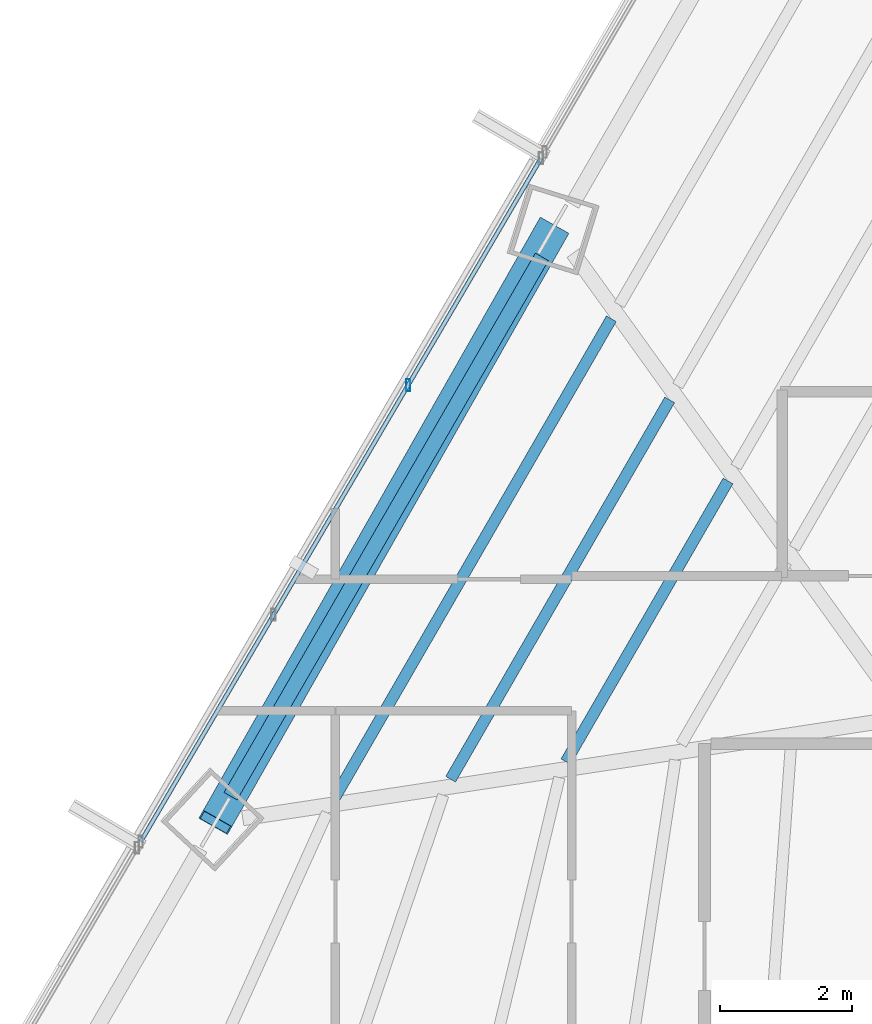
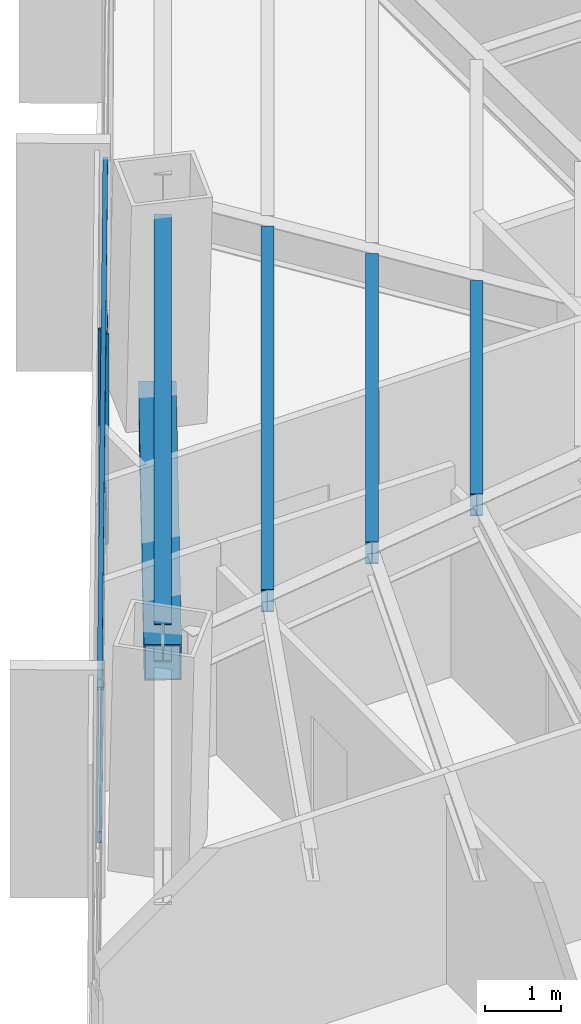
# One storey, part 14 of 35: 4 beams, 4 members, 1 element without a shape of its own.
"""IFC4 building model written with IfcOpenShell, lengths in metres."""

from ifc_helpers import new_model, si_unit, direction, frame, origin, origin_2d, place, context, subcontext, project, spatial, hollow_rectangle, i_section, extrude, source, transform, mapped, material, material_profile, profile_set, type_object, type_shapes, element, aggregate, save


model = new_model("IFC4")

# Units and contexts
model_context = context("Model", 3, precision=1e-05, world=origin(), true_north=direction((0.0, 1.0)))
body_context = subcontext(model_context, "Body", "Model", "MODEL_VIEW")
ifc_project = project(units=[si_unit("LENGTHUNIT", "METRE"), si_unit("AREAUNIT", "SQUARE_METRE"), si_unit("VOLUMEUNIT", "CUBIC_METRE"), si_unit("PLANEANGLEUNIT", "RADIAN"), si_unit("MASSUNIT", "GRAM", prefix="KILO")], contexts=[model_context])

# Site, building, storey
site_placement = place(None, origin())
site = spatial("IfcSite", under=ifc_project, at=site_placement, CompositionType="ELEMENT")
building_placement = place(site_placement, origin())
building = spatial("IfcBuilding", under=site, at=building_placement, Name="Caelisora Broadcast Tower", CompositionType="ELEMENT")
storey_placement = place(building_placement, frame((0.0, 0.0, 94.449951171875)))
storey = spatial("IfcBuildingStorey", under=building, at=storey_placement, Name="L24", CompositionType="ELEMENT", Elevation=94.449951171875)

# Beams
ifc_material_1 = material(Name="Steel Grade 350 (AS/NZS 3679.1)", Category="steel")
ifc_material_profile_1 = material_profile(ifc_material_1, i_section(OverallWidth=0.22900390625, OverallDepth=0.611572265625, WebThickness=0.011962890625, FlangeThickness=0.01953125, at=origin_2d()), Name="Steel Grade 350 (AS/NZS 3679.1)")
ifc_profile_set_1 = profile_set([ifc_material_profile_1], Name="Steel Grade 350 (AS/NZS 3679.1)")
beam_type_1 = type_object("IfcBeamType", Name="PG03", PredefinedType="BEAM", material=ifc_profile_set_1)
shared_shape_1 = source(origin(), body_context, "Body", "SweptSolid", [
    extrude(i_section(OverallWidth=0.22900390625, OverallDepth=0.611572265625, WebThickness=0.011962890625, FlangeThickness=0.01953125, at=origin_2d()), origin(), (0.0, 0.0, 1.0), 9.4677734375),
])
type_shapes(beam_type_1, [shared_shape_1])
beam_1_placement = place(storey_placement, frame((24.948486328125, 37.00146484375, 3.09423828125), z_axis=(-0.499994028088, -0.866028851642, 0.0), x_axis=(0.866028851642, -0.499994028088, 0.0)))
element("IfcBeam", 1, at=beam_1_placement, inside=storey, type_object=beam_type_1, Name="L24 beam PG03", PredefinedType="BEAM", context=body_context, shape_type="MappedRepresentation", body=[
    mapped(shared_shape_1, transform((0.0, 0.0, 0.0), scale=1.0)),
])
ifc_material_profile_2 = material_profile(ifc_material_1, i_section(OverallWidth=0.172119140625, OverallDepth=0.358642578125, WebThickness=0.008056640625, FlangeThickness=0.012939453125, at=origin_2d()), Name="Steel Grade 350 (AS/NZS 3679.1)")
ifc_profile_set_2 = profile_set([ifc_material_profile_2], Name="Steel Grade 350 (AS/NZS 3679.1)")
beam_type_2 = type_object("IfcBeamType", Name="SB02", PredefinedType="JOIST", material=ifc_profile_set_2)
shared_shape_2 = source(origin(), body_context, "Body", "SweptSolid", [
    extrude(i_section(OverallWidth=0.172119140625, OverallDepth=0.358642578125, WebThickness=0.008056640625, FlangeThickness=0.012939453125, at=origin_2d()), origin(), (0.0, 0.0, 1.0), 4.928955078125),
])
beam_2_placement = place(storey_placement, frame((27.7783203125, 33.59423828125, 3.220703125), z_axis=(-0.500022582332, -0.866012365477, 0.0), x_axis=(0.866012365477, -0.500022582332, 0.0)))
element("IfcBeam", 2, at=beam_2_placement, inside=storey, type_object=beam_type_2, Name="L24 beam SB02", PredefinedType="JOIST", context=body_context, shape_type="MappedRepresentation", body=[
    mapped(shared_shape_2, transform((0.0, 0.0, 0.0), scale=1.0)),
])
shared_shape_3 = source(origin(), body_context, "Body", "SweptSolid", [
    extrude(i_section(OverallWidth=0.172119140625, OverallDepth=0.358642578125, WebThickness=0.008056640625, FlangeThickness=0.012939453125, at=origin_2d()), origin(), (0.0, 0.0, 1.0), 6.66015625),
])
beam_3_placement = place(storey_placement, frame((26.891357421875, 34.827392578125, 3.220703125), z_axis=(-0.500002746266, -0.866023818221, 0.0), x_axis=(0.866023818221, -0.500002746266, 0.0)))
element("IfcBeam", 3, at=beam_3_placement, inside=storey, type_object=beam_type_2, Name="L24 beam SB02", PredefinedType="JOIST", context=body_context, shape_type="MappedRepresentation", body=[
    mapped(shared_shape_3, transform((0.0, 0.0, 0.0), scale=1.0)),
])
shared_shape_4 = source(origin(), body_context, "Body", "SweptSolid", [
    extrude(i_section(OverallWidth=0.172119140625, OverallDepth=0.358642578125, WebThickness=0.008056640625, FlangeThickness=0.012939453125, at=origin_2d()), origin(), (0.0, 0.0, 1.0), 8.3916015625),
])
type_shapes(beam_type_2, [shared_shape_2, shared_shape_3, shared_shape_4])
beam_4_placement = place(storey_placement, frame((26.00439453125, 36.060791015625, 3.220703125), z_axis=(-0.500000317199, -0.866025220649, 0.0), x_axis=(0.866025220649, -0.500000317199, 0.0)))
element("IfcBeam", 4, at=beam_4_placement, inside=storey, type_object=beam_type_2, Name="L24 beam SB02", PredefinedType="JOIST", context=body_context, shape_type="MappedRepresentation", body=[
    mapped(shared_shape_4, transform((0.0, 0.0, 0.0), scale=1.0)),
])

# Member
ifc_material_2 = material(Name="Steel Grade 450 L15 (AS/NZS 3678)", Category="steel")
ifc_material_profile_3 = material_profile(ifc_material_2, hollow_rectangle(XDim=0.5, YDim=0.5, WallThickness=0.02001953125, at=origin_2d()), Name="Steel Grade 450 L15 (AS/NZS 3678)")
ifc_profile_set_3 = profile_set([ifc_material_profile_3], Name="Steel Grade 450 L15 (AS/NZS 3678)")
member_type_1 = type_object("IfcMemberType", Name="BR02", PredefinedType="BRACE", material=ifc_profile_set_3)
shared_shape_5 = source(origin(), body_context, "Body", "SweptSolid", [
    extrude(hollow_rectangle(XDim=0.5, YDim=0.5, WallThickness=0.02001953125, at=origin_2d()), origin(), (0.0, 0.0, 1.0), 10.796875),
])
type_shapes(member_type_1, [shared_shape_5])
member_1_placement = place(storey_placement, frame((25.10791015625, 37.421875, 0.10009765625), z_axis=(-0.474513814712, -0.835243806901, 0.277856838464), x_axis=(0.869481832365, -0.493964921008, 0.0)))
element("IfcMember", 5, at=member_1_placement, inside=storey, type_object=member_type_1, Name="L24 perimeter brace BR02", PredefinedType="BRACE", context=body_context, shape_type="MappedRepresentation", body=[
    mapped(shared_shape_5, transform((0.0, 0.0, 0.0), scale=1.0)),
])

# Curtain wall, members
ifc_material_3 = material(Name="Unitised Aluminium Insulated Shadow-Box Spandrel Curtain Wall", Category="aluminium")
curtain_wall_type = type_object("IfcCurtainWallType", Name="CW-SP1", PredefinedType="NOTDEFINED", material=ifc_material_3)
curtain_wall_placement = place(storey_placement, origin())
curtain_wall = element("IfcCurtainWall", 6, at=curtain_wall_placement, inside=storey, type_object=curtain_wall_type, Name="L24 curtain wall CW-SP1", PredefinedType="NOTDEFINED")
ifc_material_4 = material(Name="Aluminium 6063-T6 Anodised Terracotta Bronze", Category="aluminium")
ifc_material_profile_4 = material_profile(ifc_material_4, hollow_rectangle(XDim=0.06494140625, YDim=0.179931640625, WallThickness=0.00341796875, at=origin_2d()), Name="Aluminium 6063-T6 Anodised Terracotta Bronze")
ifc_profile_set_4 = profile_set([ifc_material_profile_4], Name="Aluminium 6063-T6 Anodised Terracotta Bronze")
member_type_2 = type_object("IfcMemberType", Name="CWM-02", PredefinedType="MULLION", material=ifc_profile_set_4)
shared_shape_6 = source(origin(), body_context, "Body", "SweptSolid", [
    extrude(hollow_rectangle(XDim=0.06494140625, YDim=0.179931640625, WallThickness=0.00341796875, at=origin_2d()), origin(), (0.0, 0.0, 1.0), 3.400146484375),
])
type_shapes(member_type_2, [shared_shape_6])
member_2_placement = place(storey_placement, frame((22.915283203125, 35.0517578125, 0.0), z_axis=(0.0, 0.0, 1.0), x_axis=(1.0, 0.0, 0.0)))
member_2 = element("IfcMember", 7, at=member_2_placement, type_object=member_type_2, Name="L24-CW-B10 mullion #2", PredefinedType="MULLION", context=body_context, shape_type="MappedRepresentation", body=[
    mapped(shared_shape_6, transform((0.0, 0.0, 0.0), scale=1.0)),
])
ifc_material_profile_5 = material_profile(ifc_material_4, hollow_rectangle(XDim=0.06494140625, YDim=0.179931640625, WallThickness=0.00341796875, at=origin_2d()), Name="Aluminium 6063-T6 Anodised Terracotta Bronze")
ifc_profile_set_5 = profile_set([ifc_material_profile_5], Name="Aluminium 6063-T6 Anodised Terracotta Bronze")
member_type_3 = type_object("IfcMemberType", Name="CWT-01", PredefinedType="USERDEFINED", material=ifc_profile_set_5)
shared_shape_7 = source(origin(), body_context, "Body", "SweptSolid", [
    extrude(hollow_rectangle(XDim=0.06494140625, YDim=0.179931640625, WallThickness=0.00341796875, at=origin_2d()), origin(), (0.0, 0.0, 1.0), 12.044921875),
])
type_shapes(member_type_3, [shared_shape_7])
member_3_placement = place(storey_placement, frame((18.84814453125, 28.108642578125, 0.85009765625), z_axis=(0.505450541854, 0.862855578727, 0.0), x_axis=(-0.862855578727, 0.505450541854, 0.0)))
member_3 = element("IfcMember", 8, at=member_3_placement, type_object=member_type_3, Name="L24-CW-B10 transom #1", ObjectType="TRANSOM", PredefinedType="USERDEFINED", context=body_context, shape_type="MappedRepresentation", body=[
    mapped(shared_shape_7, transform((0.0, 0.0, 0.0), scale=1.0)),
])
member_4_placement = place(storey_placement, frame((18.84814453125, 28.108642578125, 3.320068359375), z_axis=(0.505450541854, 0.862855578727, 0.0), x_axis=(-0.862855578727, 0.505450541854, 0.0)))
member_4 = element("IfcMember", 9, at=member_4_placement, type_object=member_type_3, Name="L24-CW-B10 transom #2", ObjectType="TRANSOM", PredefinedType="USERDEFINED", context=body_context, shape_type="MappedRepresentation", body=[
    mapped(shared_shape_7, transform((0.0, 0.0, 0.0), scale=1.0)),
])
aggregate(curtain_wall, [member_2, member_3, member_4])

save(model, "model.ifc")
